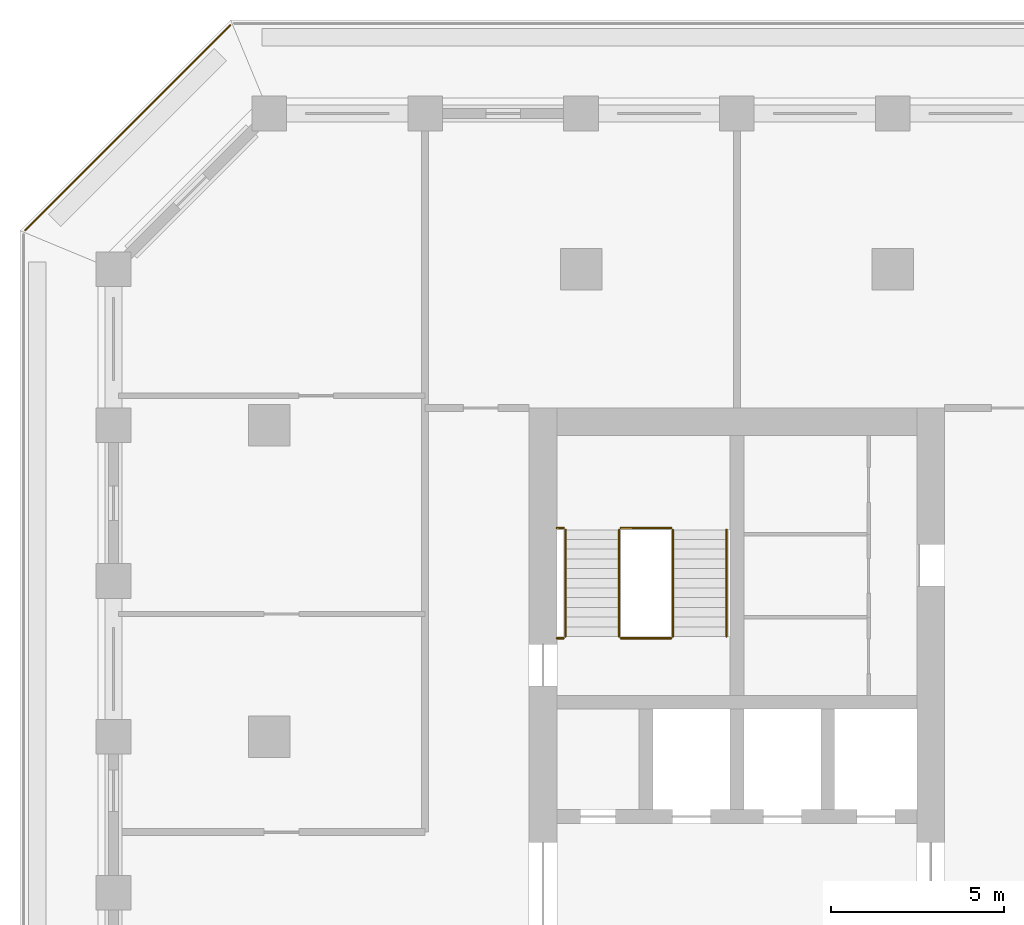
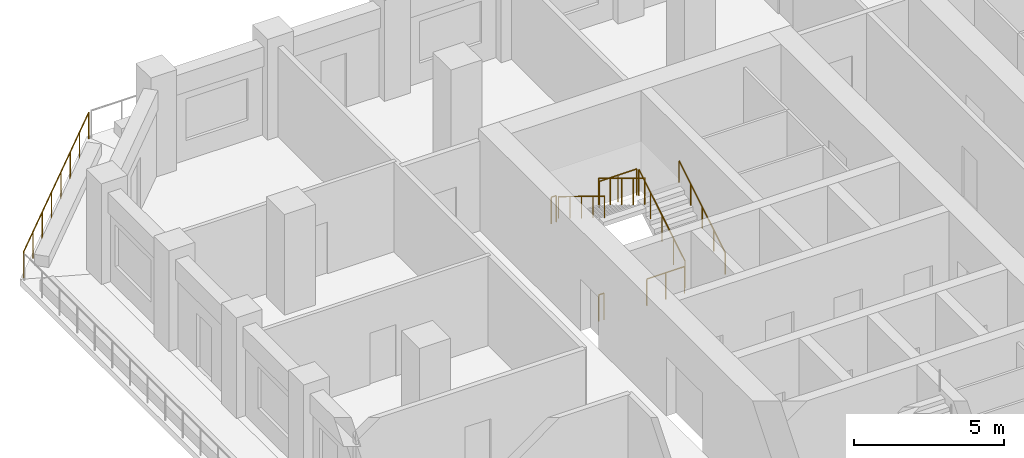
# One storey, part 13 of 16: 9 railings.
"""IFC4 building model written with IfcOpenShell, lengths in metres."""

from ifc_helpers import new_model, si_unit, direction, frame, origin, origin_2d, place, context, subcontext, project, spatial, circle, extrude, material, type_object, element, save


model = new_model("IFC4")

# Units and contexts
model_context = context("Model", 3, precision=1e-05, world=origin(), true_north=direction((0.0, 1.0)))
body_context = subcontext(model_context, "Body", "Model", "MODEL_VIEW")
ifc_project = project(units=[si_unit("LENGTHUNIT", "METRE"), si_unit("AREAUNIT", "SQUARE_METRE"), si_unit("VOLUMEUNIT", "CUBIC_METRE"), si_unit("PLANEANGLEUNIT", "RADIAN"), si_unit("MASSUNIT", "GRAM", prefix="KILO")], contexts=[model_context])

# Site, building, storey
site_placement = place(None, origin())
site = spatial("IfcSite", under=ifc_project, at=site_placement, CompositionType="ELEMENT")
building_placement = place(site_placement, origin())
building = spatial("IfcBuilding", under=site, at=building_placement, Name="Corbel Stack Research Tower", CompositionType="ELEMENT")
storey_placement = place(building_placement, frame((0.0, 0.0, 203.800048828125)))
storey = spatial("IfcBuildingStorey", under=building, at=storey_placement, Name="L46", CompositionType="ELEMENT", Elevation=203.800048828125)

# Railings
ifc_material_1 = material(Name="Steel S355", Category="steel")
railing_type_1 = type_object("IfcRailingType", Name="Stair guard 1100", PredefinedType="GUARDRAIL", material=ifc_material_1)
railing_1_placement = place(storey_placement, frame((-6.35009765625, 11.89990234375, 0.1708984375)))
element("IfcRailing", 1, at=railing_1_placement, inside=storey, type_object=railing_type_1, Name="L46 ST-W2 stair guard 1", PredefinedType="GUARDRAIL", context=body_context, shape_type="SweptSolid", body=[
    extrude(circle(Radius=0.02392578125, at=origin_2d()), frame((0.0, 0.0, 1.076171875), z_axis=(0.0, 0.853666305674, 0.52082035152), x_axis=(-1.0, 0.0, 0.0)), (0.0, 0.0, 1.0), 3.608154296875),
    extrude(circle(Radius=0.02099609375, at=origin_2d()), origin(), (0.0, 0.0, 1.0), 1.052001953125),
    extrude(circle(Radius=0.02099609375, at=origin_2d()), frame((0.0, 0.77001953125, 0.4697265625)), (0.0, 0.0, 1.0), 1.052001953125),
    extrude(circle(Radius=0.02099609375, at=origin_2d()), frame((0.0, 1.5400390625, 0.939453125)), (0.0, 0.0, 1.0), 1.052001953125),
    extrude(circle(Radius=0.02099609375, at=origin_2d()), frame((0.0, 2.31005859375, 1.409423828125)), (0.0, 0.0, 1.0), 1.052001953125),
    extrude(circle(Radius=0.02099609375, at=origin_2d()), frame((0.0, 3.080078125, 1.879150390625)), (0.0, 0.0, 1.0), 1.052001953125),
])
railing_2_placement = place(storey_placement, frame((-6.39990234375, 15.030029296875, 2.050048828125)))
element("IfcRailing", 2, at=railing_2_placement, inside=storey, type_object=railing_type_1, Name="L46 ST-W2 stair guard 2", PredefinedType="GUARDRAIL", context=body_context, shape_type="SweptSolid", body=[
    extrude(circle(Radius=0.02392578125, at=origin_2d()), frame((0.0, 0.0, 1.076171875), z_axis=(-1.0, 0.0, 0.0), x_axis=(0.0, -1.0, 0.0)), (0.0, 0.0, 1.0), 1.4501953125),
    extrude(circle(Radius=0.02099609375, at=origin_2d()), origin(), (0.0, 0.0, 1.0), 1.052001953125),
    extrude(circle(Radius=0.02099609375, at=origin_2d()), frame((-0.72509765625, 0.0, 0.0)), (0.0, 0.0, 1.0), 1.052001953125),
    extrude(circle(Radius=0.02099609375, at=origin_2d()), frame((-1.4501953125, 0.0, 0.0)), (0.0, 0.0, 1.0), 1.052001953125),
])
railing_3_placement = place(storey_placement, frame((-9.5, 15.030029296875, 2.050048828125)))
element("IfcRailing", 3, at=railing_3_placement, inside=storey, type_object=railing_type_1, Name="L46 ST-W2 stair guard 3", PredefinedType="GUARDRAIL", context=body_context, shape_type="SweptSolid", body=[
    extrude(circle(Radius=0.02392578125, at=origin_2d()), frame((0.0, 0.0, 1.076171875), z_axis=(-1.0, 0.0, 0.0), x_axis=(0.0, -1.0, 0.0)), (0.0, 0.0, 1.0), 0.199951171875),
    extrude(circle(Radius=0.02099609375, at=origin_2d()), origin(), (0.0, 0.0, 1.0), 1.052001953125),
    extrude(circle(Radius=0.02099609375, at=origin_2d()), frame((-0.199951171875, 0.0, 0.0)), (0.0, 0.0, 1.0), 1.052001953125),
])
railing_4_placement = place(storey_placement, frame((-7.89990234375, 14.97998046875, 2.220703125)))
element("IfcRailing", 4, at=railing_4_placement, inside=storey, type_object=railing_type_1, Name="L46 ST-W2 stair guard 4", PredefinedType="GUARDRAIL", context=body_context, shape_type="SweptSolid", body=[
    extrude(circle(Radius=0.02392578125, at=origin_2d()), frame((0.0, 0.0, 1.076171875), z_axis=(0.0, -0.853666305674, 0.52082035152), x_axis=(1.0, 0.0, 0.0)), (0.0, 0.0, 1.0), 3.608154296875),
    extrude(circle(Radius=0.02099609375, at=origin_2d()), origin(), (0.0, 0.0, 1.0), 1.052001953125),
    extrude(circle(Radius=0.02099609375, at=origin_2d()), frame((0.0, -0.77001953125, 0.4697265625)), (0.0, 0.0, 1.0), 1.052001953125),
    extrude(circle(Radius=0.02099609375, at=origin_2d()), frame((0.0, -1.5400390625, 0.939453125)), (0.0, 0.0, 1.0), 1.052001953125),
    extrude(circle(Radius=0.02099609375, at=origin_2d()), frame((0.0, -2.31005859375, 1.409423828125)), (0.0, 0.0, 1.0), 1.052001953125),
    extrude(circle(Radius=0.02099609375, at=origin_2d()), frame((0.0, -3.080078125, 1.879150390625)), (0.0, 0.0, 1.0), 1.052001953125),
])
railing_5_placement = place(storey_placement, frame((-6.39990234375, 11.85009765625, 0.0)))
element("IfcRailing", 5, at=railing_5_placement, inside=storey, type_object=railing_type_1, Name="L46 ST-W2 stair guard 5", PredefinedType="GUARDRAIL", context=body_context, shape_type="SweptSolid", body=[
    extrude(circle(Radius=0.02392578125, at=origin_2d()), frame((0.0, 0.0, 1.076171875), z_axis=(-1.0, 0.0, 0.0), x_axis=(0.0, -1.0, 0.0)), (0.0, 0.0, 1.0), 1.4501953125),
    extrude(circle(Radius=0.02099609375, at=origin_2d()), origin(), (0.0, 0.0, 1.0), 1.052001953125),
    extrude(circle(Radius=0.02099609375, at=origin_2d()), frame((-0.72509765625, 0.0, 0.0)), (0.0, 0.0, 1.0), 1.052001953125),
    extrude(circle(Radius=0.02099609375, at=origin_2d()), frame((-1.4501953125, 0.0, 0.0)), (0.0, 0.0, 1.0), 1.052001953125),
])
railing_6_placement = place(storey_placement, frame((-9.5, 11.85009765625, 0.0)))
element("IfcRailing", 6, at=railing_6_placement, inside=storey, type_object=railing_type_1, Name="L46 ST-W2 stair guard 6", PredefinedType="GUARDRAIL", context=body_context, shape_type="SweptSolid", body=[
    extrude(circle(Radius=0.02392578125, at=origin_2d()), frame((0.0, 0.0, 1.076171875), z_axis=(-1.0, 0.0, 0.0), x_axis=(0.0, -1.0, 0.0)), (0.0, 0.0, 1.0), 0.199951171875),
    extrude(circle(Radius=0.02099609375, at=origin_2d()), origin(), (0.0, 0.0, 1.0), 1.052001953125),
    extrude(circle(Radius=0.02099609375, at=origin_2d()), frame((-0.199951171875, 0.0, 0.0)), (0.0, 0.0, 1.0), 1.052001953125),
])
ifc_material_2 = material(Name="Steel S355", Category="steel")
railing_type_2 = type_object("IfcRailingType", Name="Stair handrail 900", PredefinedType="HANDRAIL", material=ifc_material_2)
railing_7_placement = place(storey_placement, frame((-4.800048828125, 11.89990234375, 0.1708984375)))
element("IfcRailing", 7, at=railing_7_placement, inside=storey, type_object=railing_type_2, Name="L46 ST-W2 stair handrail 1", PredefinedType="HANDRAIL", context=body_context, shape_type="SweptSolid", body=[
    extrude(circle(Radius=0.02392578125, at=origin_2d()), frame((0.0, 0.0, 0.8759765625), z_axis=(0.0, 0.853666305674, 0.52082035152), x_axis=(-1.0, 0.0, 0.0)), (0.0, 0.0, 1.0), 3.608154296875),
    extrude(circle(Radius=0.02099609375, at=origin_2d()), origin(), (0.0, 0.0, 1.0), 0.851806640625),
    extrude(circle(Radius=0.02099609375, at=origin_2d()), frame((0.0, 0.77001953125, 0.4697265625)), (0.0, 0.0, 1.0), 0.851806640625),
    extrude(circle(Radius=0.02099609375, at=origin_2d()), frame((0.0, 1.5400390625, 0.939453125)), (0.0, 0.0, 1.0), 0.851806640625),
    extrude(circle(Radius=0.02099609375, at=origin_2d()), frame((0.0, 2.31005859375, 1.409423828125)), (0.0, 0.0, 1.0), 0.851806640625),
    extrude(circle(Radius=0.02099609375, at=origin_2d()), frame((0.0, 3.080078125, 1.879150390625)), (0.0, 0.0, 1.0), 0.851806640625),
])
railing_8_placement = place(storey_placement, frame((-9.449951171875, 14.97998046875, 2.220703125)))
element("IfcRailing", 8, at=railing_8_placement, inside=storey, type_object=railing_type_2, Name="L46 ST-W2 stair handrail 2", PredefinedType="HANDRAIL", context=body_context, shape_type="SweptSolid", body=[
    extrude(circle(Radius=0.02392578125, at=origin_2d()), frame((0.0, 0.0, 0.8759765625), z_axis=(0.0, -0.853666305674, 0.52082035152), x_axis=(1.0, 0.0, 0.0)), (0.0, 0.0, 1.0), 3.608154296875),
    extrude(circle(Radius=0.02099609375, at=origin_2d()), origin(), (0.0, 0.0, 1.0), 0.851806640625),
    extrude(circle(Radius=0.02099609375, at=origin_2d()), frame((0.0, -0.77001953125, 0.4697265625)), (0.0, 0.0, 1.0), 0.851806640625),
    extrude(circle(Radius=0.02099609375, at=origin_2d()), frame((0.0, -1.5400390625, 0.939453125)), (0.0, 0.0, 1.0), 0.851806640625),
    extrude(circle(Radius=0.02099609375, at=origin_2d()), frame((0.0, -2.31005859375, 1.409423828125)), (0.0, 0.0, 1.0), 0.851806640625),
    extrude(circle(Radius=0.02099609375, at=origin_2d()), frame((0.0, -3.080078125, 1.879150390625)), (0.0, 0.0, 1.0), 0.851806640625),
])
ifc_material_3 = material(Name="Powder-coated steel guard", Category="steel")
railing_type_3 = type_object("IfcRailingType", Name="Steel and glass guard 1100", PredefinedType="GUARDRAIL", material=ifc_material_3)
railing_9_placement = place(storey_placement, frame((-19.127685546875, 29.54931640625, 0.0)))
element("IfcRailing", 9, at=railing_9_placement, inside=storey, type_object=railing_type_3, Name="Loggia guard L46 NW", PredefinedType="GUARDRAIL", context=body_context, shape_type="SweptSolid", body=[
    extrude(circle(Radius=0.02392578125, at=origin_2d()), frame((0.0, 0.0, 1.076171875), z_axis=(-0.707106781187, -0.707106781187, 0.0), x_axis=(0.707106781187, -0.707106781187, 0.0)), (0.0, 0.0, 1.0), 8.37451171875),
    extrude(circle(Radius=0.02099609375, at=origin_2d()), origin(), (0.0, 0.0, 1.0), 1.052001953125),
    extrude(circle(Radius=0.02099609375, at=origin_2d()), frame((-0.845947265625, -0.845947265625, 0.0)), (0.0, 0.0, 1.0), 1.052001953125),
    extrude(circle(Radius=0.02099609375, at=origin_2d()), frame((-1.69189453125, -1.69189453125, 0.0)), (0.0, 0.0, 1.0), 1.052001953125),
    extrude(circle(Radius=0.02099609375, at=origin_2d()), frame((-2.537841796875, -2.537841796875, 0.0)), (0.0, 0.0, 1.0), 1.052001953125),
    extrude(circle(Radius=0.02099609375, at=origin_2d()), frame((-3.3837890625, -3.3837890625, 0.0)), (0.0, 0.0, 1.0), 1.052001953125),
    extrude(circle(Radius=0.02099609375, at=origin_2d()), frame((-4.229736328125, -4.229736328125, 0.0)), (0.0, 0.0, 1.0), 1.052001953125),
    extrude(circle(Radius=0.02099609375, at=origin_2d()), frame((-5.07568359375, -5.07568359375, 0.0)), (0.0, 0.0, 1.0), 1.052001953125),
    extrude(circle(Radius=0.02099609375, at=origin_2d()), frame((-5.921630859375, -5.921630859375, 0.0)), (0.0, 0.0, 1.0), 1.052001953125),
])

save(model, "model.ifc")
